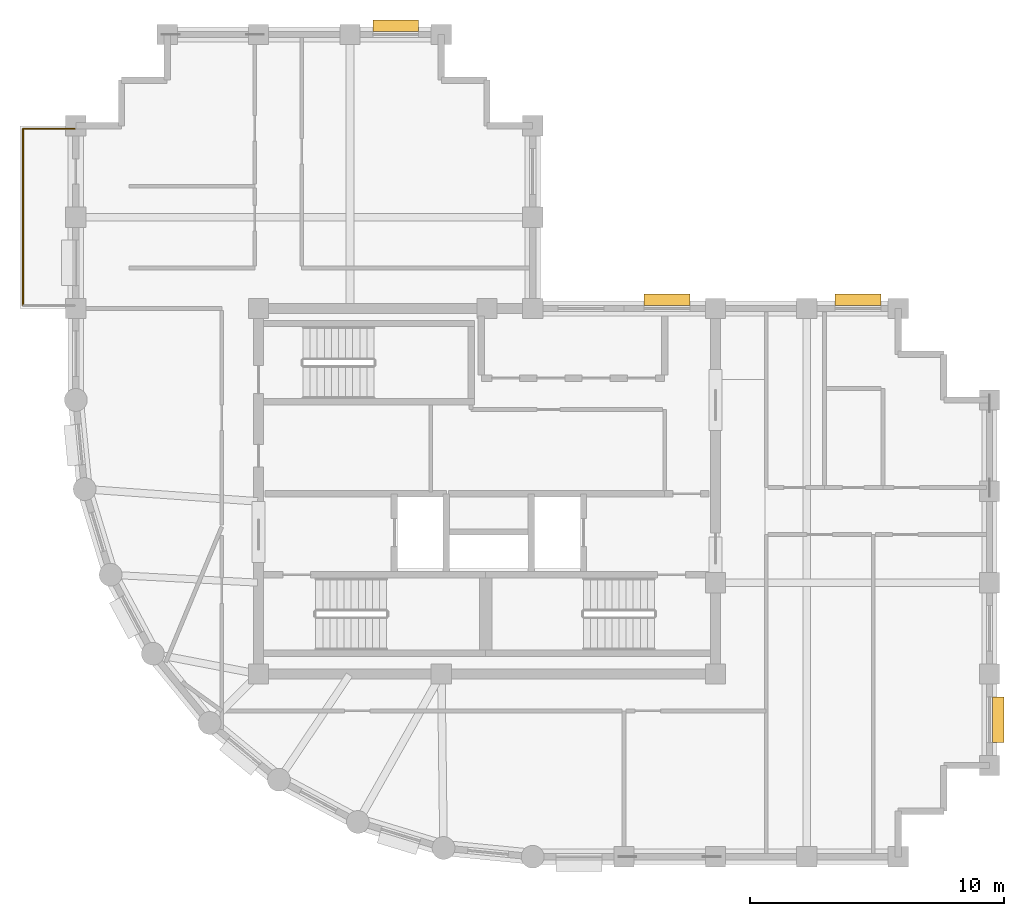
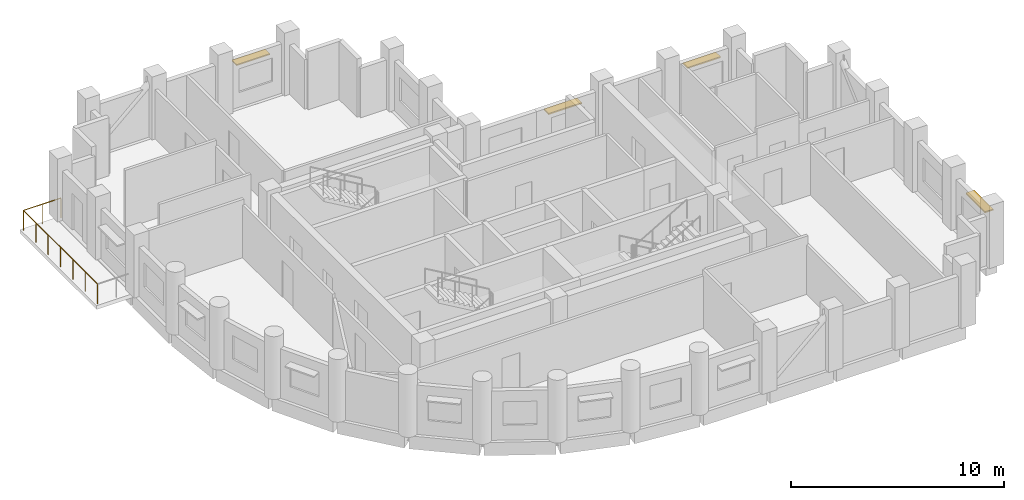
# One storey, part 7 of 7: 4 shading devices, 2 railings.
"""IFC4 building model written with IfcOpenShell, lengths in metres."""

from ifc_helpers import new_model, si_unit, direction, frame, origin, origin_2d, place, context, subcontext, project, spatial, rectangle, circle, extrude, material, layer, layer_set, type_object, element, save


model = new_model("IFC4")

# Units and contexts
model_context = context("Model", 3, precision=1e-05, world=origin(), true_north=direction((0.0, 1.0)))
body_context = subcontext(model_context, "Body", "Model", "MODEL_VIEW")
ifc_project = project(units=[si_unit("LENGTHUNIT", "METRE"), si_unit("AREAUNIT", "SQUARE_METRE"), si_unit("VOLUMEUNIT", "CUBIC_METRE"), si_unit("PLANEANGLEUNIT", "RADIAN"), si_unit("MASSUNIT", "GRAM", prefix="KILO")], contexts=[model_context])

# Site, building, storey
site_placement = place(None, origin())
site = spatial("IfcSite", under=ifc_project, at=site_placement, CompositionType="ELEMENT")
building_placement = place(site_placement, origin())
building = spatial("IfcBuilding", under=site, at=building_placement, Name="Solnavia Interchange Tower", CompositionType="ELEMENT")
storey_placement = place(building_placement, frame((0.0, 0.0, 266.60009765625)))
storey = spatial("IfcBuildingStorey", under=building, at=storey_placement, Name="L67", CompositionType="ELEMENT", Elevation=266.60009765625)

# Railings
ifc_material_1 = material(Name="Laminated Safety Glass & Stainless Steel", Category="steel")
railing_type = type_object("IfcRailingType", Name="Railing-TerraceGuard-1150", PredefinedType="GUARDRAIL", material=ifc_material_1)
railing_1_placement = place(storey_placement, frame((5.1201171875, 25.320068359375, -0.0400390625)))
element("IfcRailing", 1, at=railing_1_placement, inside=storey, type_object=railing_type, Name="GRD-L67-TER-02 Perimeter terrace guardrail", PredefinedType="GUARDRAIL", context=body_context, shape_type="SweptSolid", body=[
    extrude(circle(Radius=0.02392578125, at=origin_2d()), frame((0.0, 0.0, 1.1259765625), z_axis=(0.0, 1.0, 0.0), x_axis=(-1.0, 0.0, 0.0)), (0.0, 0.0, 1.0), 6.9599609375),
    extrude(circle(Radius=0.02099609375, at=origin_2d()), origin(), (0.0, 0.0, 1.0), 1.101806640625),
    extrude(circle(Radius=0.02099609375, at=origin_2d()), frame((0.0, 1.159912109375, 0.0)), (0.0, 0.0, 1.0), 1.101806640625),
    extrude(circle(Radius=0.02099609375, at=origin_2d()), frame((0.0, 2.320068359375, 0.0)), (0.0, 0.0, 1.0), 1.101806640625),
    extrude(circle(Radius=0.02099609375, at=origin_2d()), frame((0.0, 3.47998046875, 0.0)), (0.0, 0.0, 1.0), 1.101806640625),
    extrude(circle(Radius=0.02099609375, at=origin_2d()), frame((0.0, 4.639892578125, 0.0)), (0.0, 0.0, 1.0), 1.101806640625),
    extrude(circle(Radius=0.02099609375, at=origin_2d()), frame((0.0, 5.800048828125, 0.0)), (0.0, 0.0, 1.0), 1.101806640625),
    extrude(circle(Radius=0.02099609375, at=origin_2d()), frame((0.0, 6.9599609375, 0.0)), (0.0, 0.0, 1.0), 1.101806640625),
])
railing_2_placement = place(storey_placement, frame((5.1201171875, 32.280029296875, -0.0400390625)))
element("IfcRailing", 2, at=railing_2_placement, inside=storey, type_object=railing_type, Name="GRD-L67-TER-03 Perimeter terrace guardrail", PredefinedType="GUARDRAIL", context=body_context, shape_type="SweptSolid", body=[
    extrude(circle(Radius=0.02392578125, at=origin_2d()), frame((0.0, 0.0, 1.1259765625), z_axis=(1.0, 0.0, 0.0), x_axis=(0.0, 1.0, 0.0)), (0.0, 0.0, 1.0), 2.02978515625),
    extrude(circle(Radius=0.02099609375, at=origin_2d()), origin(), (0.0, 0.0, 1.0), 1.101806640625),
    extrude(circle(Radius=0.02099609375, at=origin_2d()), frame((1.014892578125, 0.0, 0.0)), (0.0, 0.0, 1.0), 1.101806640625),
    extrude(circle(Radius=0.02099609375, at=origin_2d()), frame((2.02978515625, 0.0, 0.0)), (0.0, 0.0, 1.0), 1.101806640625),
])

# Shading devices
ifc_material_2 = material(Name="Anodised Aluminium Sunshade", Category="aluminium")
ifc_layer = layer(ifc_material_2, 0.070068359375)
ifc_layer_set = layer_set([ifc_layer], Name="Anodised Aluminium Sunshade")
shading_device_type = type_object("IfcShadingDeviceType", Name="Sunshade-Band-450", PredefinedType="JALOUSIE", material=ifc_layer_set)
for number, where, z_axis, x_axis, name in (
    (3, (43.544921875, 9.0, 2.22509765625), (0.0, 0.0, 1.0), (0.0, -1.0, 0.0), "SHD-L67-09 Horizontal sunshade band"),
    (4, (38.02001953125, 25.544921875, 2.22509765625), (0.0, 0.0, 1.0), (1.0, 0.0, 0.0), "SHD-L67-17 Horizontal sunshade band"),
    (5, (30.4951171875, 25.544921875, 2.22509765625), (0.0, 0.0, 1.0), (1.0, 0.0, 0.0), "SHD-L67-19 Horizontal sunshade band"),
    (6, (19.800048828125, 36.344970703125, 2.22509765625), (0.0, 0.0, 1.0), (1.0, 0.0, 0.0), "SHD-L67-27 Horizontal sunshade band"),
):
    element("IfcShadingDevice", number, at=place(storey_placement, frame(where, z_axis=z_axis, x_axis=x_axis)), inside=storey, type_object=shading_device_type, Name=name, PredefinedType="JALOUSIE", context=body_context, shape_type="SweptSolid", body=[
        extrude(rectangle(XDim=1.800048828125, YDim=0.449951171875, at=origin_2d()), origin(), (0.0, 0.0, 1.0), 0.070068359375),
    ])

save(model, "model.ifc")
